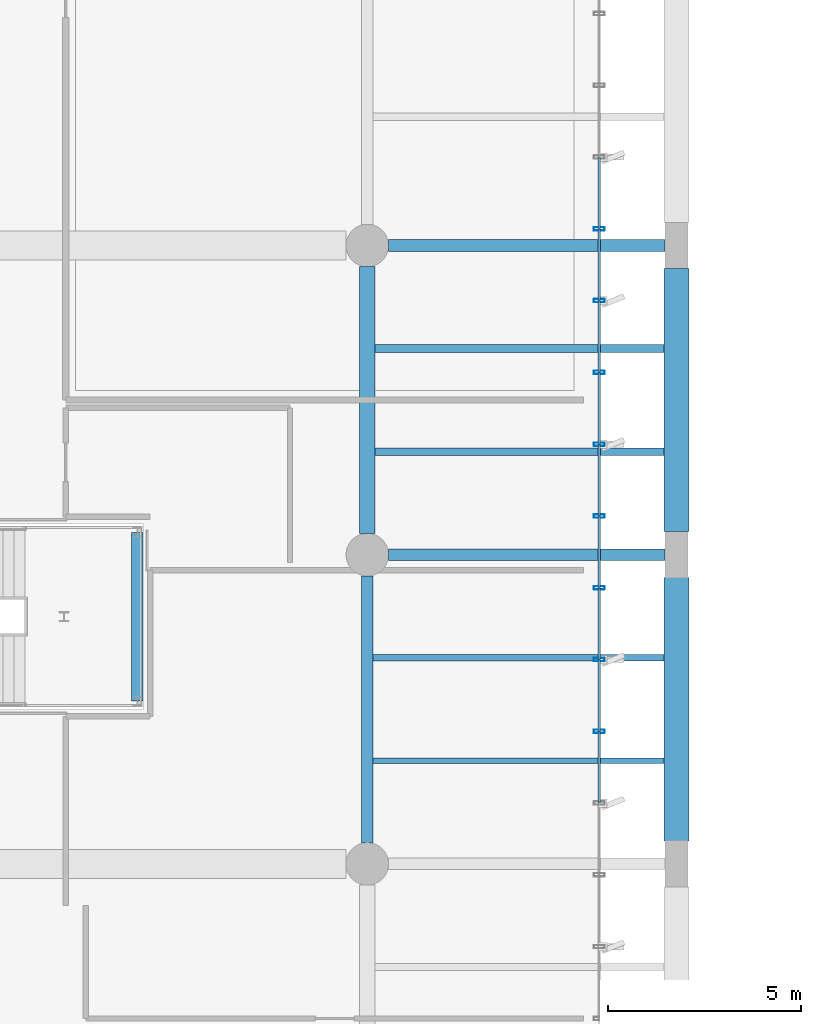
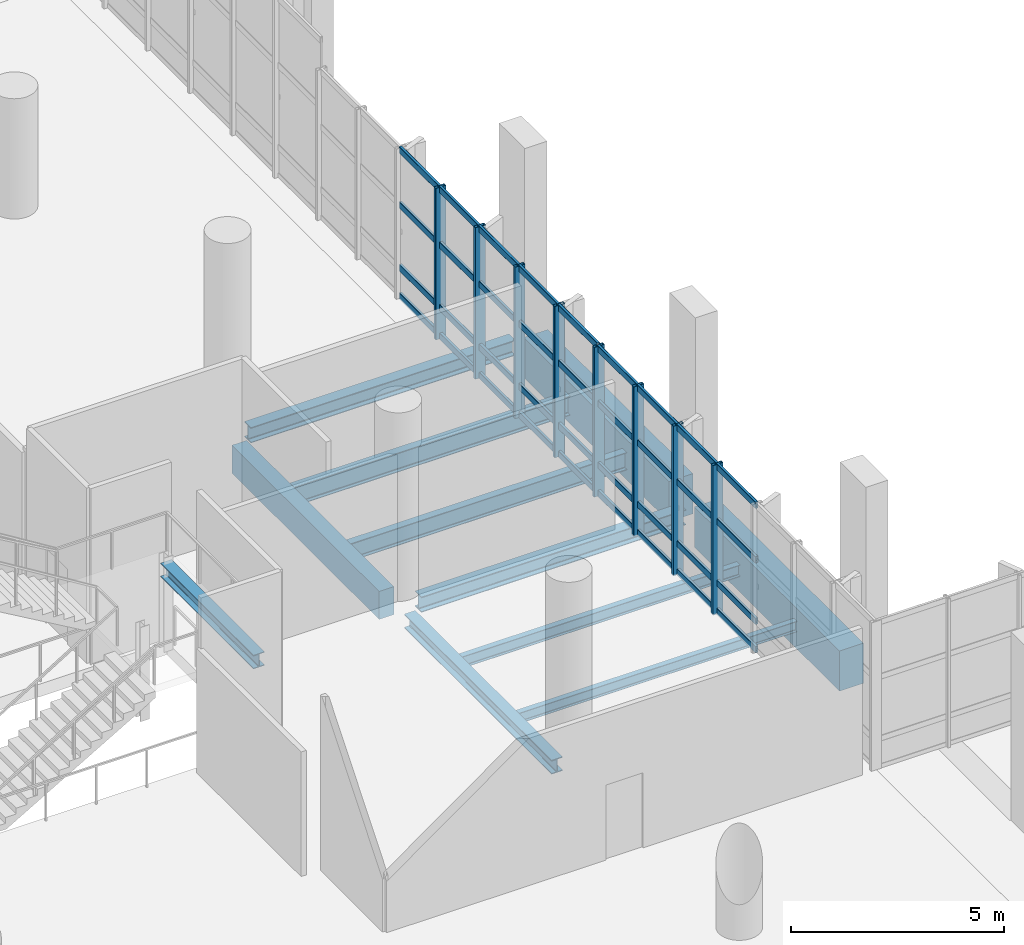
# One storey, part 82 of 176: 44 members, 11 beams, 2 elements without a shape of their own.
"""IFC4 building model written with IfcOpenShell, lengths in metres."""

from ifc_helpers import new_model, si_unit, direction, frame, origin, origin_2d, place, context, subcontext, project, spatial, rectangle, hollow_rectangle, i_section, extrude, material, layer, layer_set, material_profile, profile_set, type_object, element, aggregate, save


model = new_model("IFC4")

# Units and contexts
model_context = context("Model", 3, precision=1e-05, world=origin(), true_north=direction((0.0, 1.0)))
body_context = subcontext(model_context, "Body", "Model", "MODEL_VIEW")
ifc_project = project(units=[si_unit("LENGTHUNIT", "METRE"), si_unit("AREAUNIT", "SQUARE_METRE"), si_unit("VOLUMEUNIT", "CUBIC_METRE"), si_unit("PLANEANGLEUNIT", "RADIAN"), si_unit("MASSUNIT", "GRAM", prefix="KILO")], contexts=[model_context])

# Site, building, storey
site_placement = place(None, origin())
site = spatial("IfcSite", under=ifc_project, at=site_placement, CompositionType="ELEMENT")
building_placement = place(site_placement, origin())
building = spatial("IfcBuilding", under=site, at=building_placement, Name="Khorjan Park Terminus", CompositionType="ELEMENT")
storey_placement = place(building_placement, frame((0.0, 0.0, 6.0)))
storey = spatial("IfcBuildingStorey", under=building, at=storey_placement, Name="L01", CompositionType="ELEMENT", Elevation=6.0)

# Beams
ifc_material_1 = material(Name="Steel S355", Category="steel")
ifc_material_profile_1 = material_profile(ifc_material_1, i_section(OverallWidth=0.3, OverallDepth=0.39, WebThickness=0.011, FlangeThickness=0.019, FilletRadius=0.027, at=origin_2d()), Name="HEA 400")
ifc_profile_set_1 = profile_set([ifc_material_profile_1], Name="Steel S355")
beam_type_1 = type_object("IfcBeamType", Name="BM-HEA400", PredefinedType="BEAM", material=ifc_profile_set_1)
beam_1_placement = place(storey_placement, frame((122.05, 56.22, 2.305), z_axis=(0.0, 1.0, 0.0), x_axis=(-1.0, 0.0, 0.0)))
element("IfcBeam", 1, at=beam_1_placement, inside=storey, type_object=beam_type_1, Name="Stair CS-05 half-landing support beam SB-A40", PredefinedType="BEAM", context=body_context, shape_type="SweptSolid", body=[
    extrude(i_section(OverallWidth=0.3, OverallDepth=0.39, WebThickness=0.011, FlangeThickness=0.019, FilletRadius=0.027, at=origin_2d()), origin(), (0.0, 0.0, 1.0), 4.36),
])
ifc_material_profile_2 = material_profile(ifc_material_1, i_section(OverallWidth=0.3, OverallDepth=0.44, WebThickness=0.0115, FlangeThickness=0.021, FilletRadius=0.027, at=origin_2d()), Name="HEA 450")
ifc_profile_set_2 = profile_set([ifc_material_profile_2], Name="Steel S355")
beam_type_2 = type_object("IfcBeamType", Name="BM-HEA450", PredefinedType="BEAM", material=ifc_profile_set_2)
for number, where, z_axis, x_axis, name in (
    (2, (128.545, 60.0, -0.58), (1.0, 0.0, 0.0), (0.0, 1.0, 0.0), "Primary floor girder SB-A45 (L01)"),
    (3, (128.545, 68.0, -0.58), (1.0, 0.0, 0.0), (0.0, 1.0, 0.0), "Primary floor girder SB-A45 (L01)"),
):
    element("IfcBeam", number, at=place(storey_placement, frame(where, z_axis=z_axis, x_axis=x_axis)), inside=storey, type_object=beam_type_2, Name=name, PredefinedType="BEAM", context=body_context, shape_type="SweptSolid", body=[
        extrude(i_section(OverallWidth=0.3, OverallDepth=0.44, WebThickness=0.0115, FlangeThickness=0.021, FilletRadius=0.027, at=origin_2d()), origin(), (0.0, 0.0, 1.0), 7.16),
    ])
ifc_material_profile_3 = material_profile(ifc_material_1, i_section(OverallWidth=0.3, OverallDepth=0.4, WebThickness=0.0135, FlangeThickness=0.024, FilletRadius=0.027, at=origin_2d()), Name="HEB 400")
ifc_profile_set_3 = profile_set([ifc_material_profile_3], Name="Steel S355")
beam_type_3 = type_object("IfcBeamType", Name="BM-HEB400", PredefinedType="BEAM", material=ifc_profile_set_3)
beam_2_placement = place(storey_placement, frame((128.0, 52.545, -0.56), z_axis=(0.0, 1.0, 0.0), x_axis=(-1.0, 0.0, 0.0)))
element("IfcBeam", 4, at=beam_2_placement, inside=storey, type_object=beam_type_3, Name="Primary floor girder SB-B40 (L01)", PredefinedType="BEAM", context=body_context, shape_type="SweptSolid", body=[
    extrude(i_section(OverallWidth=0.3, OverallDepth=0.4, WebThickness=0.0135, FlangeThickness=0.024, FilletRadius=0.027, at=origin_2d()), origin(), (0.0, 0.0, 1.0), 6.91),
])
ifc_material_2 = material(Name="Concrete C40/50", Category="concrete")
ifc_material_profile_4 = material_profile(ifc_material_2, rectangle(XDim=0.4, YDim=0.8, at=origin_2d()), Name="RC 400x800")
ifc_profile_set_4 = profile_set([ifc_material_profile_4], Name="Concrete C40/50")
beam_type_4 = type_object("IfcBeamType", Name="BM-RC400x800", PredefinedType="BEAM", material=ifc_profile_set_4)
beam_3_placement = place(storey_placement, frame((128.0, 60.545, -0.76), z_axis=(0.0, 1.0, 0.0), x_axis=(-1.0, 0.0, 0.0)))
element("IfcBeam", 5, at=beam_3_placement, inside=storey, type_object=beam_type_4, Name="Primary floor girder GB-08B (L01)", PredefinedType="BEAM", context=body_context, shape_type="SweptSolid", body=[
    extrude(rectangle(XDim=0.4, YDim=0.8, at=origin_2d()), origin(), (0.0, 0.0, 1.0), 6.91),
])
ifc_material_profile_5 = material_profile(ifc_material_1, i_section(OverallWidth=0.15, OverallDepth=0.3, WebThickness=0.0071, FlangeThickness=0.0107, FilletRadius=0.015, at=origin_2d()), Name="IPE 300")
ifc_profile_set_5 = profile_set([ifc_material_profile_5], Name="Steel S355")
beam_type_5 = type_object("IfcBeamType", Name="JS-IPE300", PredefinedType="JOIST", material=ifc_profile_set_5)
beam_4_placement = place(storey_placement, frame((128.15, 54.6667, -0.51), z_axis=(1.0, 0.0, 0.0), x_axis=(0.0, 1.0, 0.0)))
element("IfcBeam", 6, at=beam_4_placement, inside=storey, type_object=beam_type_5, Name="Secondary composite floor joist SJ-30 (L01)", PredefinedType="JOIST", context=body_context, shape_type="SweptSolid", body=[
    extrude(i_section(OverallWidth=0.15, OverallDepth=0.3, WebThickness=0.0071, FlangeThickness=0.0107, FilletRadius=0.015, at=origin_2d()), origin(), (0.0, 0.0, 1.0), 7.525),
])
ifc_material_profile_6 = material_profile(ifc_material_1, i_section(OverallWidth=0.16, OverallDepth=0.33, WebThickness=0.0075, FlangeThickness=0.0115, FilletRadius=0.018, at=origin_2d()), Name="IPE 330")
ifc_profile_set_6 = profile_set([ifc_material_profile_6], Name="Steel S355")
beam_type_6 = type_object("IfcBeamType", Name="JS-IPE330", PredefinedType="JOIST", material=ifc_profile_set_6)
beam_5_placement = place(storey_placement, frame((128.15, 57.3333, -0.525), z_axis=(1.0, 0.0, 0.0), x_axis=(0.0, 1.0, 0.0)))
element("IfcBeam", 7, at=beam_5_placement, inside=storey, type_object=beam_type_6, Name="Secondary composite floor joist SJ-33 (L01)", PredefinedType="JOIST", context=body_context, shape_type="SweptSolid", body=[
    extrude(i_section(OverallWidth=0.16, OverallDepth=0.33, WebThickness=0.0075, FlangeThickness=0.0115, FilletRadius=0.018, at=origin_2d()), origin(), (0.0, 0.0, 1.0), 7.525),
])
ifc_material_profile_7 = material_profile(ifc_material_1, i_section(OverallWidth=0.2, OverallDepth=0.5, WebThickness=0.0102, FlangeThickness=0.016, FilletRadius=0.021, at=origin_2d()), Name="IPE 500")
ifc_profile_set_7 = profile_set([ifc_material_profile_7], Name="Steel S355")
beam_type_7 = type_object("IfcBeamType", Name="JS-IPE500", PredefinedType="JOIST", material=ifc_profile_set_7)
beam_6_placement = place(storey_placement, frame((128.2, 62.6667, -0.61), z_axis=(1.0, 0.0, 0.0), x_axis=(0.0, 1.0, 0.0)))
element("IfcBeam", 8, at=beam_6_placement, inside=storey, type_object=beam_type_7, Name="Secondary composite floor joist SJ-50 (L01)", PredefinedType="JOIST", context=body_context, shape_type="SweptSolid", body=[
    extrude(i_section(OverallWidth=0.2, OverallDepth=0.5, WebThickness=0.0102, FlangeThickness=0.016, FilletRadius=0.021, at=origin_2d()), origin(), (0.0, 0.0, 1.0), 7.475),
])
ifc_material_profile_8 = material_profile(ifc_material_1, i_section(OverallWidth=0.21, OverallDepth=0.55, WebThickness=0.0111, FlangeThickness=0.0172, FilletRadius=0.024, at=origin_2d()), Name="IPE 550")
ifc_profile_set_8 = profile_set([ifc_material_profile_8], Name="Steel S355")
beam_type_8 = type_object("IfcBeamType", Name="JS-IPE550", PredefinedType="JOIST", material=ifc_profile_set_8)
beam_7_placement = place(storey_placement, frame((128.2, 65.3333, -0.635), z_axis=(1.0, 0.0, 0.0), x_axis=(0.0, 1.0, 0.0)))
element("IfcBeam", 9, at=beam_7_placement, inside=storey, type_object=beam_type_8, Name="Secondary composite floor joist SJ-55 (L01)", PredefinedType="JOIST", context=body_context, shape_type="SweptSolid", body=[
    extrude(i_section(OverallWidth=0.21, OverallDepth=0.55, WebThickness=0.0111, FlangeThickness=0.0172, FilletRadius=0.024, at=origin_2d()), origin(), (0.0, 0.0, 1.0), 7.475),
])

# Curtain wall, members
ifc_material_3 = material(Name="Anodized Bronze Aluminium", Category="aluminium")
ifc_layer = layer(ifc_material_3, 0.22)
ifc_layer_set = layer_set([ifc_layer], Name="Anodized Bronze Aluminium")
curtain_wall_type = type_object("IfcCurtainWallType", Name="CW-CONC-A", PredefinedType="NOTDEFINED", material=ifc_layer_set)
curtain_wall_1_placement = place(storey_placement, origin())
curtain_wall_1 = element("IfcCurtainWall", 10, at=curtain_wall_1_placement, inside=storey, type_object=curtain_wall_type, Name="Unitized curtain wall CW-A (CW-V2-E-L01-02)", PredefinedType="NOTDEFINED")
ifc_material_profile_9 = material_profile(ifc_material_3, hollow_rectangle(XDim=0.09, YDim=0.28, WallThickness=0.006, InnerFilletRadius=0.006, OuterFilletRadius=0.012, at=origin_2d()), Name="ALM 90x280x6")
ifc_profile_set_9 = profile_set([ifc_material_profile_9], Name="Anodized Bronze Aluminium")
member_type_1 = type_object("IfcMemberType", Name="ML-ALM-280", PredefinedType="MULLION", material=ifc_profile_set_9)
member_1_placement = place(storey_placement, frame((134.0, 55.4286, -0.035), z_axis=(0.0, 0.0, 1.0), x_axis=(0.0, 1.0, 0.0)))
member_1 = element("IfcMember", 11, at=member_1_placement, type_object=member_type_1, Name="Curtain-wall mullion ML-28 (CW-V2-E-L01-02-4)", PredefinedType="MULLION", context=body_context, shape_type="SweptSolid", body=[
    extrude(hollow_rectangle(XDim=0.09, YDim=0.28, WallThickness=0.006, InnerFilletRadius=0.006, OuterFilletRadius=0.012, at=origin_2d()), origin(), (0.0, 0.0, 1.0), 4.285),
])
member_2_placement = place(storey_placement, frame((134.0, 57.2857, -0.035), z_axis=(0.0, 0.0, 1.0), x_axis=(0.0, 1.0, 0.0)))
member_2 = element("IfcMember", 12, at=member_2_placement, type_object=member_type_1, Name="Curtain-wall mullion ML-28 (CW-V2-E-L01-02-5)", PredefinedType="MULLION", context=body_context, shape_type="SweptSolid", body=[
    extrude(hollow_rectangle(XDim=0.09, YDim=0.28, WallThickness=0.006, InnerFilletRadius=0.006, OuterFilletRadius=0.012, at=origin_2d()), origin(), (0.0, 0.0, 1.0), 4.285),
])
member_3_placement = place(storey_placement, frame((134.0, 59.1429, -0.035), z_axis=(0.0, 0.0, 1.0), x_axis=(0.0, 1.0, 0.0)))
member_3 = element("IfcMember", 13, at=member_3_placement, type_object=member_type_1, Name="Curtain-wall mullion ML-28 (CW-V2-E-L01-02-6)", PredefinedType="MULLION", context=body_context, shape_type="SweptSolid", body=[
    extrude(hollow_rectangle(XDim=0.09, YDim=0.28, WallThickness=0.006, InnerFilletRadius=0.006, OuterFilletRadius=0.012, at=origin_2d()), origin(), (0.0, 0.0, 1.0), 4.285),
])
member_4_placement = place(storey_placement, frame((134.0, 61.0, -0.035), z_axis=(0.0, 0.0, 1.0), x_axis=(0.0, 1.0, 0.0)))
member_4 = element("IfcMember", 14, at=member_4_placement, type_object=member_type_1, Name="Curtain-wall mullion ML-28 (CW-V2-E-L01-02-7)", PredefinedType="MULLION", context=body_context, shape_type="SweptSolid", body=[
    extrude(hollow_rectangle(XDim=0.09, YDim=0.28, WallThickness=0.006, InnerFilletRadius=0.006, OuterFilletRadius=0.012, at=origin_2d()), origin(), (0.0, 0.0, 1.0), 4.285),
])

curtain_wall_2_placement = place(storey_placement, origin())
curtain_wall_2 = element("IfcCurtainWall", 15, at=curtain_wall_2_placement, inside=storey, type_object=curtain_wall_type, Name="Unitized curtain wall CW-A (CW-V2-E-L01-03)", PredefinedType="NOTDEFINED")
member_5_placement = place(storey_placement, frame((134.0, 62.8571, -0.035), z_axis=(0.0, 0.0, 1.0), x_axis=(0.0, 1.0, 0.0)))
member_5 = element("IfcMember", 16, at=member_5_placement, type_object=member_type_1, Name="Curtain-wall mullion ML-28 (CW-V2-E-L01-03-1)", PredefinedType="MULLION", context=body_context, shape_type="SweptSolid", body=[
    extrude(hollow_rectangle(XDim=0.09, YDim=0.28, WallThickness=0.006, InnerFilletRadius=0.006, OuterFilletRadius=0.012, at=origin_2d()), origin(), (0.0, 0.0, 1.0), 4.335),
])
member_6_placement = place(storey_placement, frame((134.0, 64.7143, -0.035), z_axis=(0.0, 0.0, 1.0), x_axis=(0.0, 1.0, 0.0)))
member_6 = element("IfcMember", 17, at=member_6_placement, type_object=member_type_1, Name="Curtain-wall mullion ML-28 (CW-V2-E-L01-03-2)", PredefinedType="MULLION", context=body_context, shape_type="SweptSolid", body=[
    extrude(hollow_rectangle(XDim=0.09, YDim=0.28, WallThickness=0.006, InnerFilletRadius=0.006, OuterFilletRadius=0.012, at=origin_2d()), origin(), (0.0, 0.0, 1.0), 4.335),
])
member_7_placement = place(storey_placement, frame((134.0, 66.5714, -0.035), z_axis=(0.0, 0.0, 1.0), x_axis=(0.0, 1.0, 0.0)))
member_7 = element("IfcMember", 18, at=member_7_placement, type_object=member_type_1, Name="Curtain-wall mullion ML-28 (CW-V2-E-L01-03-3)", PredefinedType="MULLION", context=body_context, shape_type="SweptSolid", body=[
    extrude(hollow_rectangle(XDim=0.09, YDim=0.28, WallThickness=0.006, InnerFilletRadius=0.006, OuterFilletRadius=0.012, at=origin_2d()), origin(), (0.0, 0.0, 1.0), 4.335),
])
member_8_placement = place(storey_placement, frame((134.0, 68.4286, -0.035), z_axis=(0.0, 0.0, 1.0), x_axis=(0.0, 1.0, 0.0)))
member_8 = element("IfcMember", 19, at=member_8_placement, type_object=member_type_1, Name="Curtain-wall mullion ML-28 (CW-V2-E-L01-03-4)", PredefinedType="MULLION", context=body_context, shape_type="SweptSolid", body=[
    extrude(hollow_rectangle(XDim=0.09, YDim=0.28, WallThickness=0.006, InnerFilletRadius=0.006, OuterFilletRadius=0.012, at=origin_2d()), origin(), (0.0, 0.0, 1.0), 4.335),
])

# Beams
ifc_material_4 = material(Name="Concrete C50/60", Category="concrete")
ifc_material_profile_10 = material_profile(ifc_material_4, rectangle(XDim=0.65, YDim=1.15, at=origin_2d()), Name="RC 650x1150")
ifc_profile_set_10 = profile_set([ifc_material_profile_10], Name="Concrete C50/60")
beam_type_9 = type_object("IfcBeamType", Name="SP-RC650x1150", PredefinedType="SPANDREL", material=ifc_profile_set_10)
for number, where, z_axis, x_axis, name in (
    (20, (136.0, 52.595, -0.575), (0.0, 1.0, 0.0), (-1.0, 0.0, 0.0), "Concourse lower colonnade ring beam SP-11 (L01-30)"),
    (21, (136.0, 60.595, -0.575), (0.0, 1.0, 0.0), (-1.0, 0.0, 0.0), "Concourse lower colonnade ring beam SP-11 (L01-32)"),
):
    element("IfcBeam", number, at=place(storey_placement, frame(where, z_axis=z_axis, x_axis=x_axis)), inside=storey, type_object=beam_type_9, Name=name, PredefinedType="SPANDREL", context=body_context, shape_type="SweptSolid", body=[
        extrude(rectangle(XDim=0.65, YDim=1.15, at=origin_2d()), origin(), (0.0, 0.0, 1.0), 6.81),
    ])

# Member
ifc_material_profile_11 = material_profile(ifc_material_3, hollow_rectangle(XDim=0.075, YDim=0.185, WallThickness=0.005, InnerFilletRadius=0.005, OuterFilletRadius=0.01, at=origin_2d()), Name="ALT 75x185x5")
ifc_profile_set_11 = profile_set([ifc_material_profile_11], Name="Anodized Bronze Aluminium")
member_type_2 = type_object("IfcMemberType", Name="TR-ALT-185", PredefinedType="USERDEFINED", material=ifc_profile_set_11)
member_9_placement = place(storey_placement, frame((134.0, 53.5714, 0.04), z_axis=(0.0, 1.0, 0.0), x_axis=(-1.0, 0.0, 0.0)))
member_9 = element("IfcMember", 22, at=member_9_placement, type_object=member_type_2, Name="Curtain-wall transom TR-18 (CW-V2-E-L01-02-3-1)", ObjectType="TRANSOM", PredefinedType="USERDEFINED", context=body_context, shape_type="SweptSolid", body=[
    extrude(hollow_rectangle(XDim=0.075, YDim=0.185, WallThickness=0.005, InnerFilletRadius=0.005, OuterFilletRadius=0.01, at=origin_2d()), origin(), (0.0, 0.0, 1.0), 1.8572),
])

member_10_placement = place(storey_placement, frame((134.0, 53.5714, 0.85), z_axis=(0.0, 1.0, 0.0), x_axis=(-1.0, 0.0, 0.0)))
member_10 = element("IfcMember", 23, at=member_10_placement, type_object=member_type_2, Name="Curtain-wall transom TR-18 (CW-V2-E-L01-02-3-2)", ObjectType="TRANSOM", PredefinedType="USERDEFINED", context=body_context, shape_type="SweptSolid", body=[
    extrude(hollow_rectangle(XDim=0.075, YDim=0.185, WallThickness=0.005, InnerFilletRadius=0.005, OuterFilletRadius=0.01, at=origin_2d()), origin(), (0.0, 0.0, 1.0), 1.8572),
])

member_11_placement = place(storey_placement, frame((134.0, 53.5714, 2.6133), z_axis=(0.0, 1.0, 0.0), x_axis=(-1.0, 0.0, 0.0)))
member_11 = element("IfcMember", 24, at=member_11_placement, type_object=member_type_2, Name="Curtain-wall transom TR-18 (CW-V2-E-L01-02-3-3)", ObjectType="TRANSOM", PredefinedType="USERDEFINED", context=body_context, shape_type="SweptSolid", body=[
    extrude(hollow_rectangle(XDim=0.075, YDim=0.185, WallThickness=0.005, InnerFilletRadius=0.005, OuterFilletRadius=0.01, at=origin_2d()), origin(), (0.0, 0.0, 1.0), 1.8572),
])

member_12_placement = place(storey_placement, frame((134.0, 53.5714, 4.175), z_axis=(0.0, 1.0, 0.0), x_axis=(-1.0, 0.0, 0.0)))
member_12 = element("IfcMember", 25, at=member_12_placement, type_object=member_type_2, Name="Curtain-wall transom TR-18 (CW-V2-E-L01-02-3-4)", ObjectType="TRANSOM", PredefinedType="USERDEFINED", context=body_context, shape_type="SweptSolid", body=[
    extrude(hollow_rectangle(XDim=0.075, YDim=0.185, WallThickness=0.005, InnerFilletRadius=0.005, OuterFilletRadius=0.01, at=origin_2d()), origin(), (0.0, 0.0, 1.0), 1.8572),
])

member_13_placement = place(storey_placement, frame((134.0, 55.4286, 0.04), z_axis=(0.0, 1.0, 0.0), x_axis=(-1.0, 0.0, 0.0)))
member_13 = element("IfcMember", 26, at=member_13_placement, type_object=member_type_2, Name="Curtain-wall transom TR-18 (CW-V2-E-L01-02-4-1)", ObjectType="TRANSOM", PredefinedType="USERDEFINED", context=body_context, shape_type="SweptSolid", body=[
    extrude(hollow_rectangle(XDim=0.075, YDim=0.185, WallThickness=0.005, InnerFilletRadius=0.005, OuterFilletRadius=0.01, at=origin_2d()), origin(), (0.0, 0.0, 1.0), 1.8571),
])

member_14_placement = place(storey_placement, frame((134.0, 55.4286, 0.85), z_axis=(0.0, 1.0, 0.0), x_axis=(-1.0, 0.0, 0.0)))
member_14 = element("IfcMember", 27, at=member_14_placement, type_object=member_type_2, Name="Curtain-wall transom TR-18 (CW-V2-E-L01-02-4-2)", ObjectType="TRANSOM", PredefinedType="USERDEFINED", context=body_context, shape_type="SweptSolid", body=[
    extrude(hollow_rectangle(XDim=0.075, YDim=0.185, WallThickness=0.005, InnerFilletRadius=0.005, OuterFilletRadius=0.01, at=origin_2d()), origin(), (0.0, 0.0, 1.0), 1.8571),
])

member_15_placement = place(storey_placement, frame((134.0, 55.4286, 2.6133), z_axis=(0.0, 1.0, 0.0), x_axis=(-1.0, 0.0, 0.0)))
member_15 = element("IfcMember", 28, at=member_15_placement, type_object=member_type_2, Name="Curtain-wall transom TR-18 (CW-V2-E-L01-02-4-3)", ObjectType="TRANSOM", PredefinedType="USERDEFINED", context=body_context, shape_type="SweptSolid", body=[
    extrude(hollow_rectangle(XDim=0.075, YDim=0.185, WallThickness=0.005, InnerFilletRadius=0.005, OuterFilletRadius=0.01, at=origin_2d()), origin(), (0.0, 0.0, 1.0), 1.8571),
])

member_16_placement = place(storey_placement, frame((134.0, 55.4286, 4.175), z_axis=(0.0, 1.0, 0.0), x_axis=(-1.0, 0.0, 0.0)))
member_16 = element("IfcMember", 29, at=member_16_placement, type_object=member_type_2, Name="Curtain-wall transom TR-18 (CW-V2-E-L01-02-4-4)", ObjectType="TRANSOM", PredefinedType="USERDEFINED", context=body_context, shape_type="SweptSolid", body=[
    extrude(hollow_rectangle(XDim=0.075, YDim=0.185, WallThickness=0.005, InnerFilletRadius=0.005, OuterFilletRadius=0.01, at=origin_2d()), origin(), (0.0, 0.0, 1.0), 1.8571),
])

member_17_placement = place(storey_placement, frame((134.0, 57.2857, 0.04), z_axis=(0.0, 1.0, 0.0), x_axis=(-1.0, 0.0, 0.0)))
member_17 = element("IfcMember", 30, at=member_17_placement, type_object=member_type_2, Name="Curtain-wall transom TR-18 (CW-V2-E-L01-02-5-1)", ObjectType="TRANSOM", PredefinedType="USERDEFINED", context=body_context, shape_type="SweptSolid", body=[
    extrude(hollow_rectangle(XDim=0.075, YDim=0.185, WallThickness=0.005, InnerFilletRadius=0.005, OuterFilletRadius=0.01, at=origin_2d()), origin(), (0.0, 0.0, 1.0), 1.8572),
])

member_18_placement = place(storey_placement, frame((134.0, 57.2857, 0.85), z_axis=(0.0, 1.0, 0.0), x_axis=(-1.0, 0.0, 0.0)))
member_18 = element("IfcMember", 31, at=member_18_placement, type_object=member_type_2, Name="Curtain-wall transom TR-18 (CW-V2-E-L01-02-5-2)", ObjectType="TRANSOM", PredefinedType="USERDEFINED", context=body_context, shape_type="SweptSolid", body=[
    extrude(hollow_rectangle(XDim=0.075, YDim=0.185, WallThickness=0.005, InnerFilletRadius=0.005, OuterFilletRadius=0.01, at=origin_2d()), origin(), (0.0, 0.0, 1.0), 1.8572),
])

member_19_placement = place(storey_placement, frame((134.0, 57.2857, 2.6133), z_axis=(0.0, 1.0, 0.0), x_axis=(-1.0, 0.0, 0.0)))
member_19 = element("IfcMember", 32, at=member_19_placement, type_object=member_type_2, Name="Curtain-wall transom TR-18 (CW-V2-E-L01-02-5-3)", ObjectType="TRANSOM", PredefinedType="USERDEFINED", context=body_context, shape_type="SweptSolid", body=[
    extrude(hollow_rectangle(XDim=0.075, YDim=0.185, WallThickness=0.005, InnerFilletRadius=0.005, OuterFilletRadius=0.01, at=origin_2d()), origin(), (0.0, 0.0, 1.0), 1.8572),
])

member_20_placement = place(storey_placement, frame((134.0, 57.2857, 4.175), z_axis=(0.0, 1.0, 0.0), x_axis=(-1.0, 0.0, 0.0)))
member_20 = element("IfcMember", 33, at=member_20_placement, type_object=member_type_2, Name="Curtain-wall transom TR-18 (CW-V2-E-L01-02-5-4)", ObjectType="TRANSOM", PredefinedType="USERDEFINED", context=body_context, shape_type="SweptSolid", body=[
    extrude(hollow_rectangle(XDim=0.075, YDim=0.185, WallThickness=0.005, InnerFilletRadius=0.005, OuterFilletRadius=0.01, at=origin_2d()), origin(), (0.0, 0.0, 1.0), 1.8572),
])

member_21_placement = place(storey_placement, frame((134.0, 59.1429, 0.04), z_axis=(0.0, 1.0, 0.0), x_axis=(-1.0, 0.0, 0.0)))
member_21 = element("IfcMember", 34, at=member_21_placement, type_object=member_type_2, Name="Curtain-wall transom TR-18 (CW-V2-E-L01-02-6-1)", ObjectType="TRANSOM", PredefinedType="USERDEFINED", context=body_context, shape_type="SweptSolid", body=[
    extrude(hollow_rectangle(XDim=0.075, YDim=0.185, WallThickness=0.005, InnerFilletRadius=0.005, OuterFilletRadius=0.01, at=origin_2d()), origin(), (0.0, 0.0, 1.0), 1.8571),
])

member_22_placement = place(storey_placement, frame((134.0, 59.1429, 0.85), z_axis=(0.0, 1.0, 0.0), x_axis=(-1.0, 0.0, 0.0)))
member_22 = element("IfcMember", 35, at=member_22_placement, type_object=member_type_2, Name="Curtain-wall transom TR-18 (CW-V2-E-L01-02-6-2)", ObjectType="TRANSOM", PredefinedType="USERDEFINED", context=body_context, shape_type="SweptSolid", body=[
    extrude(hollow_rectangle(XDim=0.075, YDim=0.185, WallThickness=0.005, InnerFilletRadius=0.005, OuterFilletRadius=0.01, at=origin_2d()), origin(), (0.0, 0.0, 1.0), 1.8571),
])

member_23_placement = place(storey_placement, frame((134.0, 59.1429, 2.6133), z_axis=(0.0, 1.0, 0.0), x_axis=(-1.0, 0.0, 0.0)))
member_23 = element("IfcMember", 36, at=member_23_placement, type_object=member_type_2, Name="Curtain-wall transom TR-18 (CW-V2-E-L01-02-6-3)", ObjectType="TRANSOM", PredefinedType="USERDEFINED", context=body_context, shape_type="SweptSolid", body=[
    extrude(hollow_rectangle(XDim=0.075, YDim=0.185, WallThickness=0.005, InnerFilletRadius=0.005, OuterFilletRadius=0.01, at=origin_2d()), origin(), (0.0, 0.0, 1.0), 1.8571),
])

member_24_placement = place(storey_placement, frame((134.0, 59.1429, 4.175), z_axis=(0.0, 1.0, 0.0), x_axis=(-1.0, 0.0, 0.0)))
member_24 = element("IfcMember", 37, at=member_24_placement, type_object=member_type_2, Name="Curtain-wall transom TR-18 (CW-V2-E-L01-02-6-4)", ObjectType="TRANSOM", PredefinedType="USERDEFINED", context=body_context, shape_type="SweptSolid", body=[
    extrude(hollow_rectangle(XDim=0.075, YDim=0.185, WallThickness=0.005, InnerFilletRadius=0.005, OuterFilletRadius=0.01, at=origin_2d()), origin(), (0.0, 0.0, 1.0), 1.8571),
])

aggregate(curtain_wall_1, [member_1, member_2, member_3, member_4, member_9, member_10, member_11, member_12, member_13, member_14, member_15, member_16, member_17, member_18, member_19, member_20, member_21, member_22, member_23, member_24])

member_25_placement = place(storey_placement, frame((134.0, 61.0, 0.04), z_axis=(0.0, 1.0, 0.0), x_axis=(-1.0, 0.0, 0.0)))
member_25 = element("IfcMember", 38, at=member_25_placement, type_object=member_type_2, Name="Curtain-wall transom TR-18 (CW-V2-E-L01-03-0-1)", ObjectType="TRANSOM", PredefinedType="USERDEFINED", context=body_context, shape_type="SweptSolid", body=[
    extrude(hollow_rectangle(XDim=0.075, YDim=0.185, WallThickness=0.005, InnerFilletRadius=0.005, OuterFilletRadius=0.01, at=origin_2d()), origin(), (0.0, 0.0, 1.0), 1.8571),
])

member_26_placement = place(storey_placement, frame((134.0, 61.0, 0.85), z_axis=(0.0, 1.0, 0.0), x_axis=(-1.0, 0.0, 0.0)))
member_26 = element("IfcMember", 39, at=member_26_placement, type_object=member_type_2, Name="Curtain-wall transom TR-18 (CW-V2-E-L01-03-0-2)", ObjectType="TRANSOM", PredefinedType="USERDEFINED", context=body_context, shape_type="SweptSolid", body=[
    extrude(hollow_rectangle(XDim=0.075, YDim=0.185, WallThickness=0.005, InnerFilletRadius=0.005, OuterFilletRadius=0.01, at=origin_2d()), origin(), (0.0, 0.0, 1.0), 1.8571),
])

member_27_placement = place(storey_placement, frame((134.0, 61.0, 2.6443), z_axis=(0.0, 1.0, 0.0), x_axis=(-1.0, 0.0, 0.0)))
member_27 = element("IfcMember", 40, at=member_27_placement, type_object=member_type_2, Name="Curtain-wall transom TR-18 (CW-V2-E-L01-03-0-3)", ObjectType="TRANSOM", PredefinedType="USERDEFINED", context=body_context, shape_type="SweptSolid", body=[
    extrude(hollow_rectangle(XDim=0.075, YDim=0.185, WallThickness=0.005, InnerFilletRadius=0.005, OuterFilletRadius=0.01, at=origin_2d()), origin(), (0.0, 0.0, 1.0), 1.8571),
])

member_28_placement = place(storey_placement, frame((134.0, 61.0, 4.225), z_axis=(0.0, 1.0, 0.0), x_axis=(-1.0, 0.0, 0.0)))
member_28 = element("IfcMember", 41, at=member_28_placement, type_object=member_type_2, Name="Curtain-wall transom TR-18 (CW-V2-E-L01-03-0-4)", ObjectType="TRANSOM", PredefinedType="USERDEFINED", context=body_context, shape_type="SweptSolid", body=[
    extrude(hollow_rectangle(XDim=0.075, YDim=0.185, WallThickness=0.005, InnerFilletRadius=0.005, OuterFilletRadius=0.01, at=origin_2d()), origin(), (0.0, 0.0, 1.0), 1.8571),
])

member_29_placement = place(storey_placement, frame((134.0, 62.8571, 0.04), z_axis=(0.0, 1.0, 0.0), x_axis=(-1.0, 0.0, 0.0)))
member_29 = element("IfcMember", 42, at=member_29_placement, type_object=member_type_2, Name="Curtain-wall transom TR-18 (CW-V2-E-L01-03-1-1)", ObjectType="TRANSOM", PredefinedType="USERDEFINED", context=body_context, shape_type="SweptSolid", body=[
    extrude(hollow_rectangle(XDim=0.075, YDim=0.185, WallThickness=0.005, InnerFilletRadius=0.005, OuterFilletRadius=0.01, at=origin_2d()), origin(), (0.0, 0.0, 1.0), 1.8572),
])

member_30_placement = place(storey_placement, frame((134.0, 62.8571, 0.85), z_axis=(0.0, 1.0, 0.0), x_axis=(-1.0, 0.0, 0.0)))
member_30 = element("IfcMember", 43, at=member_30_placement, type_object=member_type_2, Name="Curtain-wall transom TR-18 (CW-V2-E-L01-03-1-2)", ObjectType="TRANSOM", PredefinedType="USERDEFINED", context=body_context, shape_type="SweptSolid", body=[
    extrude(hollow_rectangle(XDim=0.075, YDim=0.185, WallThickness=0.005, InnerFilletRadius=0.005, OuterFilletRadius=0.01, at=origin_2d()), origin(), (0.0, 0.0, 1.0), 1.8572),
])

member_31_placement = place(storey_placement, frame((134.0, 62.8571, 2.6443), z_axis=(0.0, 1.0, 0.0), x_axis=(-1.0, 0.0, 0.0)))
member_31 = element("IfcMember", 44, at=member_31_placement, type_object=member_type_2, Name="Curtain-wall transom TR-18 (CW-V2-E-L01-03-1-3)", ObjectType="TRANSOM", PredefinedType="USERDEFINED", context=body_context, shape_type="SweptSolid", body=[
    extrude(hollow_rectangle(XDim=0.075, YDim=0.185, WallThickness=0.005, InnerFilletRadius=0.005, OuterFilletRadius=0.01, at=origin_2d()), origin(), (0.0, 0.0, 1.0), 1.8572),
])

member_32_placement = place(storey_placement, frame((134.0, 62.8571, 4.225), z_axis=(0.0, 1.0, 0.0), x_axis=(-1.0, 0.0, 0.0)))
member_32 = element("IfcMember", 45, at=member_32_placement, type_object=member_type_2, Name="Curtain-wall transom TR-18 (CW-V2-E-L01-03-1-4)", ObjectType="TRANSOM", PredefinedType="USERDEFINED", context=body_context, shape_type="SweptSolid", body=[
    extrude(hollow_rectangle(XDim=0.075, YDim=0.185, WallThickness=0.005, InnerFilletRadius=0.005, OuterFilletRadius=0.01, at=origin_2d()), origin(), (0.0, 0.0, 1.0), 1.8572),
])

member_33_placement = place(storey_placement, frame((134.0, 64.7143, 0.04), z_axis=(0.0, 1.0, 0.0), x_axis=(-1.0, 0.0, 0.0)))
member_33 = element("IfcMember", 46, at=member_33_placement, type_object=member_type_2, Name="Curtain-wall transom TR-18 (CW-V2-E-L01-03-2-1)", ObjectType="TRANSOM", PredefinedType="USERDEFINED", context=body_context, shape_type="SweptSolid", body=[
    extrude(hollow_rectangle(XDim=0.075, YDim=0.185, WallThickness=0.005, InnerFilletRadius=0.005, OuterFilletRadius=0.01, at=origin_2d()), origin(), (0.0, 0.0, 1.0), 1.8571),
])

member_34_placement = place(storey_placement, frame((134.0, 64.7143, 0.85), z_axis=(0.0, 1.0, 0.0), x_axis=(-1.0, 0.0, 0.0)))
member_34 = element("IfcMember", 47, at=member_34_placement, type_object=member_type_2, Name="Curtain-wall transom TR-18 (CW-V2-E-L01-03-2-2)", ObjectType="TRANSOM", PredefinedType="USERDEFINED", context=body_context, shape_type="SweptSolid", body=[
    extrude(hollow_rectangle(XDim=0.075, YDim=0.185, WallThickness=0.005, InnerFilletRadius=0.005, OuterFilletRadius=0.01, at=origin_2d()), origin(), (0.0, 0.0, 1.0), 1.8571),
])

member_35_placement = place(storey_placement, frame((134.0, 64.7143, 2.6443), z_axis=(0.0, 1.0, 0.0), x_axis=(-1.0, 0.0, 0.0)))
member_35 = element("IfcMember", 48, at=member_35_placement, type_object=member_type_2, Name="Curtain-wall transom TR-18 (CW-V2-E-L01-03-2-3)", ObjectType="TRANSOM", PredefinedType="USERDEFINED", context=body_context, shape_type="SweptSolid", body=[
    extrude(hollow_rectangle(XDim=0.075, YDim=0.185, WallThickness=0.005, InnerFilletRadius=0.005, OuterFilletRadius=0.01, at=origin_2d()), origin(), (0.0, 0.0, 1.0), 1.8571),
])

member_36_placement = place(storey_placement, frame((134.0, 64.7143, 4.225), z_axis=(0.0, 1.0, 0.0), x_axis=(-1.0, 0.0, 0.0)))
member_36 = element("IfcMember", 49, at=member_36_placement, type_object=member_type_2, Name="Curtain-wall transom TR-18 (CW-V2-E-L01-03-2-4)", ObjectType="TRANSOM", PredefinedType="USERDEFINED", context=body_context, shape_type="SweptSolid", body=[
    extrude(hollow_rectangle(XDim=0.075, YDim=0.185, WallThickness=0.005, InnerFilletRadius=0.005, OuterFilletRadius=0.01, at=origin_2d()), origin(), (0.0, 0.0, 1.0), 1.8571),
])

member_37_placement = place(storey_placement, frame((134.0, 66.5714, 0.04), z_axis=(0.0, 1.0, 0.0), x_axis=(-1.0, 0.0, 0.0)))
member_37 = element("IfcMember", 50, at=member_37_placement, type_object=member_type_2, Name="Curtain-wall transom TR-18 (CW-V2-E-L01-03-3-1)", ObjectType="TRANSOM", PredefinedType="USERDEFINED", context=body_context, shape_type="SweptSolid", body=[
    extrude(hollow_rectangle(XDim=0.075, YDim=0.185, WallThickness=0.005, InnerFilletRadius=0.005, OuterFilletRadius=0.01, at=origin_2d()), origin(), (0.0, 0.0, 1.0), 1.8572),
])

member_38_placement = place(storey_placement, frame((134.0, 66.5714, 0.85), z_axis=(0.0, 1.0, 0.0), x_axis=(-1.0, 0.0, 0.0)))
member_38 = element("IfcMember", 51, at=member_38_placement, type_object=member_type_2, Name="Curtain-wall transom TR-18 (CW-V2-E-L01-03-3-2)", ObjectType="TRANSOM", PredefinedType="USERDEFINED", context=body_context, shape_type="SweptSolid", body=[
    extrude(hollow_rectangle(XDim=0.075, YDim=0.185, WallThickness=0.005, InnerFilletRadius=0.005, OuterFilletRadius=0.01, at=origin_2d()), origin(), (0.0, 0.0, 1.0), 1.8572),
])

member_39_placement = place(storey_placement, frame((134.0, 66.5714, 2.6443), z_axis=(0.0, 1.0, 0.0), x_axis=(-1.0, 0.0, 0.0)))
member_39 = element("IfcMember", 52, at=member_39_placement, type_object=member_type_2, Name="Curtain-wall transom TR-18 (CW-V2-E-L01-03-3-3)", ObjectType="TRANSOM", PredefinedType="USERDEFINED", context=body_context, shape_type="SweptSolid", body=[
    extrude(hollow_rectangle(XDim=0.075, YDim=0.185, WallThickness=0.005, InnerFilletRadius=0.005, OuterFilletRadius=0.01, at=origin_2d()), origin(), (0.0, 0.0, 1.0), 1.8572),
])

member_40_placement = place(storey_placement, frame((134.0, 66.5714, 4.225), z_axis=(0.0, 1.0, 0.0), x_axis=(-1.0, 0.0, 0.0)))
member_40 = element("IfcMember", 53, at=member_40_placement, type_object=member_type_2, Name="Curtain-wall transom TR-18 (CW-V2-E-L01-03-3-4)", ObjectType="TRANSOM", PredefinedType="USERDEFINED", context=body_context, shape_type="SweptSolid", body=[
    extrude(hollow_rectangle(XDim=0.075, YDim=0.185, WallThickness=0.005, InnerFilletRadius=0.005, OuterFilletRadius=0.01, at=origin_2d()), origin(), (0.0, 0.0, 1.0), 1.8572),
])

member_41_placement = place(storey_placement, frame((134.0, 68.4286, 0.04), z_axis=(0.0, 1.0, 0.0), x_axis=(-1.0, 0.0, 0.0)))
member_41 = element("IfcMember", 54, at=member_41_placement, type_object=member_type_2, Name="Curtain-wall transom TR-18 (CW-V2-E-L01-03-4-1)", ObjectType="TRANSOM", PredefinedType="USERDEFINED", context=body_context, shape_type="SweptSolid", body=[
    extrude(hollow_rectangle(XDim=0.075, YDim=0.185, WallThickness=0.005, InnerFilletRadius=0.005, OuterFilletRadius=0.01, at=origin_2d()), origin(), (0.0, 0.0, 1.0), 1.8571),
])

member_42_placement = place(storey_placement, frame((134.0, 68.4286, 0.85), z_axis=(0.0, 1.0, 0.0), x_axis=(-1.0, 0.0, 0.0)))
member_42 = element("IfcMember", 55, at=member_42_placement, type_object=member_type_2, Name="Curtain-wall transom TR-18 (CW-V2-E-L01-03-4-2)", ObjectType="TRANSOM", PredefinedType="USERDEFINED", context=body_context, shape_type="SweptSolid", body=[
    extrude(hollow_rectangle(XDim=0.075, YDim=0.185, WallThickness=0.005, InnerFilletRadius=0.005, OuterFilletRadius=0.01, at=origin_2d()), origin(), (0.0, 0.0, 1.0), 1.8571),
])

member_43_placement = place(storey_placement, frame((134.0, 68.4286, 2.6443), z_axis=(0.0, 1.0, 0.0), x_axis=(-1.0, 0.0, 0.0)))
member_43 = element("IfcMember", 56, at=member_43_placement, type_object=member_type_2, Name="Curtain-wall transom TR-18 (CW-V2-E-L01-03-4-3)", ObjectType="TRANSOM", PredefinedType="USERDEFINED", context=body_context, shape_type="SweptSolid", body=[
    extrude(hollow_rectangle(XDim=0.075, YDim=0.185, WallThickness=0.005, InnerFilletRadius=0.005, OuterFilletRadius=0.01, at=origin_2d()), origin(), (0.0, 0.0, 1.0), 1.8571),
])

member_44_placement = place(storey_placement, frame((134.0, 68.4286, 4.225), z_axis=(0.0, 1.0, 0.0), x_axis=(-1.0, 0.0, 0.0)))
member_44 = element("IfcMember", 57, at=member_44_placement, type_object=member_type_2, Name="Curtain-wall transom TR-18 (CW-V2-E-L01-03-4-4)", ObjectType="TRANSOM", PredefinedType="USERDEFINED", context=body_context, shape_type="SweptSolid", body=[
    extrude(hollow_rectangle(XDim=0.075, YDim=0.185, WallThickness=0.005, InnerFilletRadius=0.005, OuterFilletRadius=0.01, at=origin_2d()), origin(), (0.0, 0.0, 1.0), 1.8571),
])

aggregate(curtain_wall_2, [member_5, member_6, member_7, member_8, member_25, member_26, member_27, member_28, member_29, member_30, member_31, member_32, member_33, member_34, member_35, member_36, member_37, member_38, member_39, member_40, member_41, member_42, member_43, member_44])

save(model, "model.ifc")
